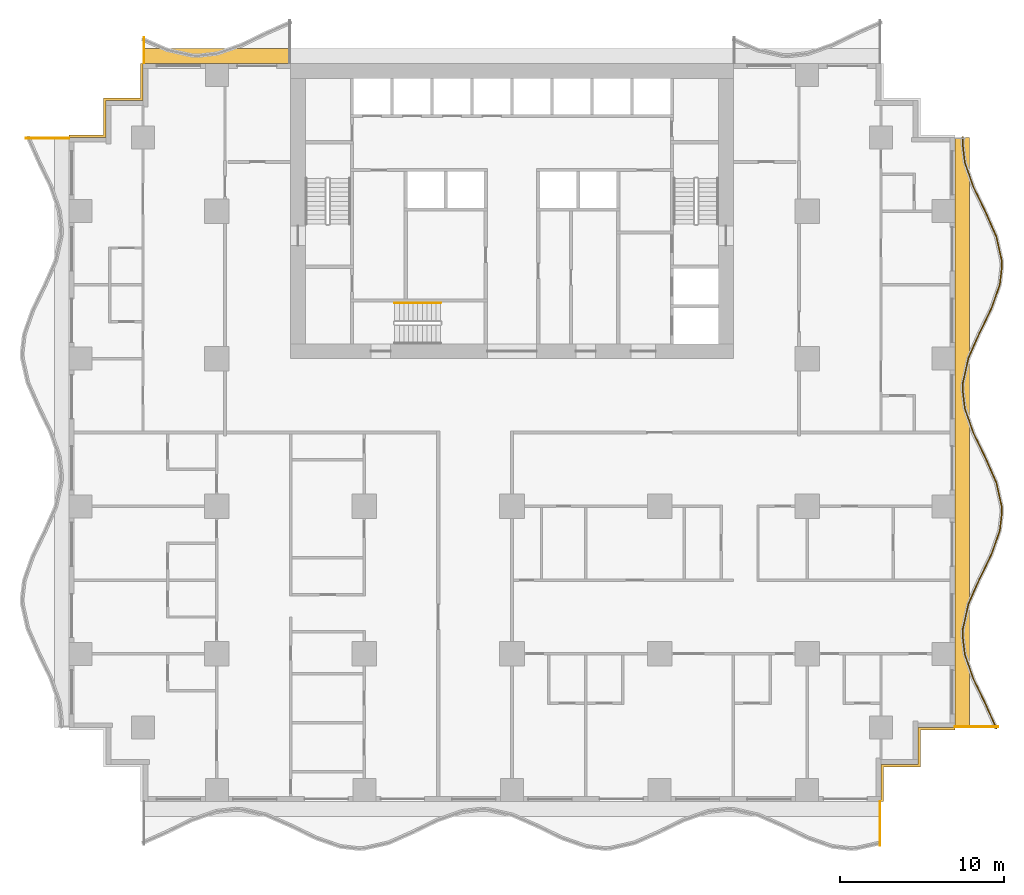
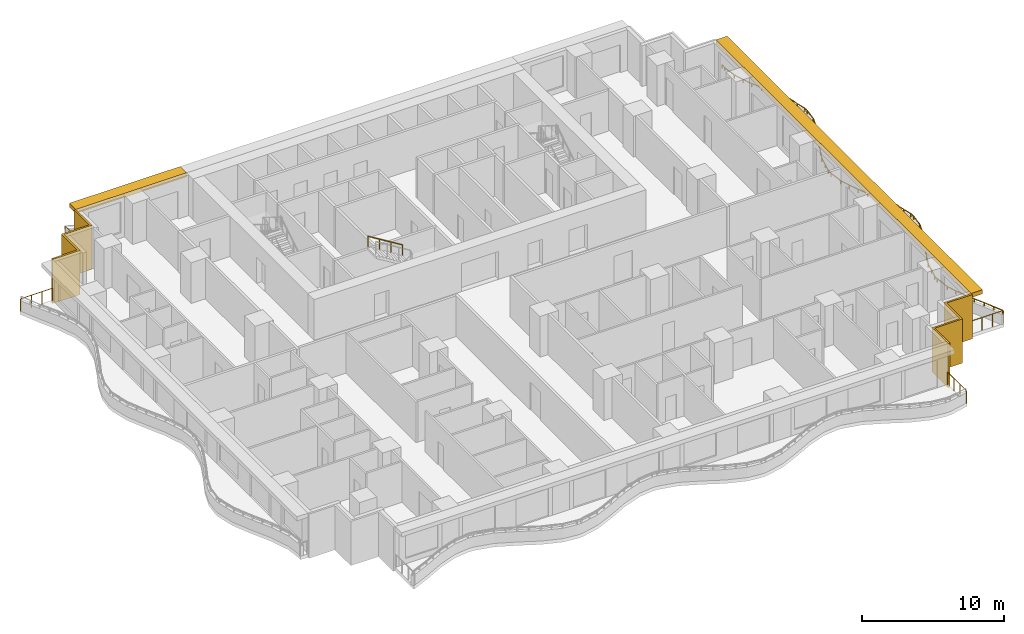
# One storey, part 11 of 14: 6 railings, 4 shading devices.
"""IFC4 building model written with IfcOpenShell, lengths in metres."""

from ifc_helpers import new_model, si_unit, direction, frame, origin, origin_2d, place, context, subcontext, project, spatial, polyline, rectangle, circle, outline, extrude, material, layer, layer_set, type_object, element, save


model = new_model("IFC4")

# Units and contexts
model_context = context("Model", 3, precision=1e-05, world=origin(), true_north=direction((0.0, 1.0)))
body_context = subcontext(model_context, "Body", "Model", "MODEL_VIEW")
ifc_project = project(units=[si_unit("LENGTHUNIT", "METRE"), si_unit("AREAUNIT", "SQUARE_METRE"), si_unit("VOLUMEUNIT", "CUBIC_METRE"), si_unit("PLANEANGLEUNIT", "RADIAN"), si_unit("MASSUNIT", "GRAM", prefix="KILO")], contexts=[model_context])

# Site, building, storey
site_placement = place(None, origin())
site = spatial("IfcSite", under=ifc_project, at=site_placement, CompositionType="ELEMENT")
building_placement = place(site_placement, origin())
building = spatial("IfcBuilding", under=site, at=building_placement, Name="Orbiselva Terraces", CompositionType="ELEMENT")
storey_placement = place(building_placement, frame((0.0, 0.0, 56.8)))
storey = spatial("IfcBuildingStorey", under=building, at=storey_placement, Name="L14", CompositionType="ELEMENT", Elevation=56.8)

# Railings
ifc_material_1 = material(Name="Stainless steel", Category="steel")
railing_type_1 = type_object("IfcRailingType", Name="CORE-HANDRAIL-900", PredefinedType="HANDRAIL", material=ifc_material_1)
railing_1_placement = place(storey_placement, frame((-4.35, 7.9, 2.072727)))
element("IfcRailing", 1, at=railing_1_placement, inside=storey, type_object=railing_type_1, Name="L14 S3 stair handrail 2", PredefinedType="HANDRAIL", context=body_context, shape_type="SweptSolid", body=[
    extrude(circle(Radius=0.024, at=origin_2d()), frame((0.0, 0.0, 0.876), z_axis=(-0.851088519012, 0.0, 0.52502222125), x_axis=(0.0, -1.0, 0.0)), (0.0, 0.0, 1.0), 3.289905),
    extrude(circle(Radius=0.021, at=origin_2d()), origin(), (0.0, 0.0, 1.0), 0.852),
    extrude(circle(Radius=0.021, at=origin_2d()), frame((-0.933333, 0.0, 0.575758)), (0.0, 0.0, 1.0), 0.852),
    extrude(circle(Radius=0.021, at=origin_2d()), frame((-1.866667, 0.0, 1.151515)), (0.0, 0.0, 1.0), 0.852),
    extrude(circle(Radius=0.021, at=origin_2d()), frame((-2.8, 0.0, 1.727273)), (0.0, 0.0, 1.0), 0.852),
])
ifc_material_2 = material(Name="Bonded two-ply safety glass balustrade, stainless steel posts", Category="steel")
railing_type_2 = type_object("IfcRailingType", Name="ENV-BALUSTRADE-1200", PredefinedType="BALUSTRADE", material=ifc_material_2)
railing_2_placement = place(storey_placement, frame((29.534136, -18.050394, 0.9)))
element("IfcRailing", 2, at=railing_2_placement, inside=storey, type_object=railing_type_2, Name="Balcony balustrade L14 E", PredefinedType="BALUSTRADE", context=body_context, shape_type="SweptSolid", body=[
    extrude(outline(polyline([(0.028868, 0.0), (0.014434, 0.025), (-0.014434, 0.025), (-0.028868, 0.0), (-0.014434, -0.025), (0.014434, -0.025), (0.028868, 0.0)])), frame((0.0, 0.0, 0.275), z_axis=(-0.403150940408, 0.915133498047, 0.0), x_axis=(-0.915133498047, -0.403150940408, 0.0)), (0.0, 0.0, 1.0), 1.636648),
    extrude(outline(polyline([(0.028868, 0.0), (0.014434, 0.025), (-0.014434, 0.025), (-0.028868, 0.0), (-0.014434, -0.025), (0.014434, -0.025), (0.028868, 0.0)])), frame((-0.659816, 1.497751, 0.275), z_axis=(-0.438812048596, 0.898578870221, 0.0), x_axis=(-0.898578870221, -0.438812048596, 0.0)), (0.0, 0.0, 1.0), 1.674225),
    extrude(outline(polyline([(0.028868, 0.0), (0.014434, 0.025), (-0.014434, 0.025), (-0.028868, 0.0), (-0.014434, -0.025), (0.014434, -0.025), (0.028868, 0.0)])), frame((-1.394486, 3.002174, 0.275), z_axis=(-0.330024597479, 0.943972332783, 0.0), x_axis=(-0.943972332783, -0.330024597479, 0.0)), (0.0, 0.0, 1.0), 1.610253),
    extrude(outline(polyline([(0.028868, 0.0), (0.014434, 0.025), (-0.014434, 0.025), (-0.028868, 0.0), (-0.014434, -0.025), (0.014434, -0.025), (0.028868, 0.0)])), frame((-1.925909, 4.522208, 0.275), z_axis=(-0.115482182324, 0.993309551734, 0.0), x_axis=(-0.993309551734, -0.115482182324, 0.0)), (0.0, 0.0, 1.0), 1.156135),
    extrude(outline(polyline([(0.028868, 0.0), (0.014434, 0.025), (-0.014434, 0.025), (-0.028868, 0.0), (-0.014434, -0.025), (0.014434, -0.025), (0.028868, 0.0)])), frame((-2.059422, 5.670608, 0.275), z_axis=(0.03936915532, 0.999224734286, 0.0), x_axis=(-0.999224734286, 0.03936915532, 0.0)), (0.0, 0.0, 1.0), 0.396376),
    extrude(outline(polyline([(0.028868, 0.0), (0.014434, 0.025), (-0.014434, 0.025), (-0.028868, 0.0), (-0.014434, -0.025), (0.014434, -0.025), (0.028868, 0.0)])), frame((-2.043817, 6.066677, 0.275), z_axis=(0.219015500924, 0.97572137947, 0.0), x_axis=(-0.97572137947, 0.219015500924, 0.0)), (0.0, 0.0, 1.0), 1.560867),
    extrude(outline(polyline([(0.028868, 0.0), (0.014434, 0.025), (-0.014434, 0.025), (-0.028868, 0.0), (-0.014434, -0.025), (0.014434, -0.025), (0.028868, 0.0)])), frame((-1.701963, 7.589648, 0.275), z_axis=(0.403150874148, 0.915133527237, 0.0), x_axis=(-0.915133527237, 0.403150874148, 0.0)), (0.0, 0.0, 1.0), 1.653736),
    extrude(outline(polyline([(0.028868, 0.0), (0.014434, 0.025), (-0.014434, 0.025), (-0.028868, 0.0), (-0.014434, -0.025), (0.014434, -0.025), (0.028868, 0.0)])), frame((-1.035258, 9.103037, 0.275), z_axis=(0.438811978768, 0.89857890432, 0.0), x_axis=(-0.89857890432, 0.438811978768, 0.0)), (0.0, 0.0, 1.0), 1.66438),
    extrude(outline(polyline([(0.028868, 0.0), (0.014434, 0.025), (-0.014434, 0.025), (-0.028868, 0.0), (-0.014434, -0.025), (0.014434, -0.025), (0.028868, 0.0)])), frame((-0.304908, 10.598614, 0.275), z_axis=(0.330024754707, 0.943972277814, 0.0), x_axis=(-0.943972277814, 0.330024754707, 0.0)), (0.0, 0.0, 1.0), 1.567807),
    extrude(outline(polyline([(0.028868, 0.0), (0.014434, 0.025), (-0.014434, 0.025), (-0.028868, 0.0), (-0.014434, -0.025), (0.014434, -0.025), (0.028868, 0.0)])), frame((0.212507, 12.07858, 0.275), z_axis=(0.115481264762, 0.993309658409, 0.0), x_axis=(-0.993309658409, 0.115481264762, 0.0)), (0.0, 0.0, 1.0), 1.10902),
    extrude(outline(polyline([(0.028868, 0.0), (0.014434, 0.025), (-0.014434, 0.025), (-0.028868, 0.0), (-0.014434, -0.025), (0.014434, -0.025), (0.028868, 0.0)])), frame((0.340578, 13.18018, 0.275), z_axis=(-0.039364150694, 0.999224931454, 0.0), x_axis=(-0.999224931454, -0.039364150694, 0.0)), (0.0, 0.0, 1.0), 0.354206),
    extrude(outline(polyline([(0.028868, 0.0), (0.014434, 0.025), (-0.014434, 0.025), (-0.028868, 0.0), (-0.014434, -0.025), (0.014434, -0.025), (0.028868, 0.0)])), frame((0.326635, 13.534111, 0.275), z_axis=(-0.219015740235, 0.975721325753, 0.0), x_axis=(-0.975721325753, -0.219015740235, 0.0)), (0.0, 0.0, 1.0), 1.513782),
    extrude(outline(polyline([(0.028868, 0.0), (0.014434, 0.025), (-0.014434, 0.025), (-0.028868, 0.0), (-0.014434, -0.025), (0.014434, -0.025), (0.028868, 0.0)])), frame((-0.004907, 15.01114, 0.275), z_axis=(-0.403151245402, 0.915133363686, 0.0), x_axis=(-0.915133363686, -0.403151245402, 0.0)), (0.0, 0.0, 1.0), 1.624475),
    extrude(outline(polyline([(0.028868, 0.0), (0.014434, 0.025), (-0.014434, 0.025), (-0.028868, 0.0), (-0.014434, -0.025), (0.014434, -0.025), (0.028868, 0.0)])), frame((-0.659816, 16.497751, 0.275), z_axis=(-0.438812048596, 0.898578870221, 0.0), x_axis=(-0.898578870221, -0.438812048596, 0.0)), (0.0, 0.0, 1.0), 1.674225),
    extrude(outline(polyline([(0.028868, 0.0), (0.014434, 0.025), (-0.014434, 0.025), (-0.028868, 0.0), (-0.014434, -0.025), (0.014434, -0.025), (0.028868, 0.0)])), frame((-1.394486, 18.002174, 0.275), z_axis=(-0.330024597479, 0.943972332783, 0.0), x_axis=(-0.943972332783, -0.330024597479, 0.0)), (0.0, 0.0, 1.0), 1.610253),
    extrude(outline(polyline([(0.028868, 0.0), (0.014434, 0.025), (-0.014434, 0.025), (-0.028868, 0.0), (-0.014434, -0.025), (0.014434, -0.025), (0.028868, 0.0)])), frame((-1.925909, 19.522208, 0.275), z_axis=(-0.115482182324, 0.993309551734, 0.0), x_axis=(-0.993309551734, -0.115482182324, 0.0)), (0.0, 0.0, 1.0), 1.156135),
    extrude(outline(polyline([(0.028868, 0.0), (0.014434, 0.025), (-0.014434, 0.025), (-0.028868, 0.0), (-0.014434, -0.025), (0.014434, -0.025), (0.028868, 0.0)])), frame((-2.059422, 20.670608, 0.275), z_axis=(0.03936915532, 0.999224734286, 0.0), x_axis=(-0.999224734286, 0.03936915532, 0.0)), (0.0, 0.0, 1.0), 0.396376),
    extrude(outline(polyline([(0.028868, 0.0), (0.014434, 0.025), (-0.014434, 0.025), (-0.028868, 0.0), (-0.014434, -0.025), (0.014434, -0.025), (0.028868, 0.0)])), frame((-2.043817, 21.066677, 0.275), z_axis=(0.219015500924, 0.97572137947, 0.0), x_axis=(-0.97572137947, 0.219015500924, 0.0)), (0.0, 0.0, 1.0), 1.560867),
    extrude(outline(polyline([(0.028868, 0.0), (0.014434, 0.025), (-0.014434, 0.025), (-0.028868, 0.0), (-0.014434, -0.025), (0.014434, -0.025), (0.028868, 0.0)])), frame((-1.701963, 22.589648, 0.275), z_axis=(0.403150874148, 0.915133527237, 0.0), x_axis=(-0.915133527237, 0.403150874148, 0.0)), (0.0, 0.0, 1.0), 1.653736),
    extrude(outline(polyline([(0.028868, 0.0), (0.014434, 0.025), (-0.014434, 0.025), (-0.028868, 0.0), (-0.014434, -0.025), (0.014434, -0.025), (0.028868, 0.0)])), frame((-1.035258, 24.103037, 0.275), z_axis=(0.438811978768, 0.89857890432, 0.0), x_axis=(-0.89857890432, 0.438811978768, 0.0)), (0.0, 0.0, 1.0), 1.66438),
    extrude(outline(polyline([(0.028868, 0.0), (0.014434, 0.025), (-0.014434, 0.025), (-0.028868, 0.0), (-0.014434, -0.025), (0.014434, -0.025), (0.028868, 0.0)])), frame((-0.304908, 25.598614, 0.275), z_axis=(0.330024754707, 0.943972277814, 0.0), x_axis=(-0.943972277814, 0.330024754707, 0.0)), (0.0, 0.0, 1.0), 1.567807),
    extrude(outline(polyline([(0.028868, 0.0), (0.014434, 0.025), (-0.014434, 0.025), (-0.028868, 0.0), (-0.014434, -0.025), (0.014434, -0.025), (0.028868, 0.0)])), frame((0.212507, 27.07858, 0.275), z_axis=(0.115481264762, 0.993309658409, 0.0), x_axis=(-0.993309658409, 0.115481264762, 0.0)), (0.0, 0.0, 1.0), 1.10902),
    extrude(outline(polyline([(0.028868, 0.0), (0.014434, 0.025), (-0.014434, 0.025), (-0.028868, 0.0), (-0.014434, -0.025), (0.014434, -0.025), (0.028868, 0.0)])), frame((0.340578, 28.18018, 0.275), z_axis=(-0.039364150694, 0.999224931454, 0.0), x_axis=(-0.999224931454, -0.039364150694, 0.0)), (0.0, 0.0, 1.0), 0.354206),
    extrude(outline(polyline([(0.028868, 0.0), (0.014434, 0.025), (-0.014434, 0.025), (-0.028868, 0.0), (-0.014434, -0.025), (0.014434, -0.025), (0.028868, 0.0)])), frame((0.326635, 28.534111, 0.275), z_axis=(-0.219015740235, 0.975721325753, 0.0), x_axis=(-0.975721325753, -0.219015740235, 0.0)), (0.0, 0.0, 1.0), 1.513782),
    extrude(outline(polyline([(0.028868, 0.0), (0.014434, 0.025), (-0.014434, 0.025), (-0.028868, 0.0), (-0.014434, -0.025), (0.014434, -0.025), (0.028868, 0.0)])), frame((-0.004907, 30.01114, 0.275), z_axis=(-0.403151245402, 0.915133363686, 0.0), x_axis=(-0.915133363686, -0.403151245402, 0.0)), (0.0, 0.0, 1.0), 1.624475),
    extrude(outline(polyline([(0.028868, 0.0), (0.014434, 0.025), (-0.014434, 0.025), (-0.028868, 0.0), (-0.014434, -0.025), (0.014434, -0.025), (0.028868, 0.0)])), frame((-0.659816, 31.497751, 0.275), z_axis=(-0.438812048596, 0.898578870221, 0.0), x_axis=(-0.898578870221, -0.438812048596, 0.0)), (0.0, 0.0, 1.0), 1.674225),
    extrude(outline(polyline([(0.028868, 0.0), (0.014434, 0.025), (-0.014434, 0.025), (-0.028868, 0.0), (-0.014434, -0.025), (0.014434, -0.025), (0.028868, 0.0)])), frame((-1.394486, 33.002174, 0.275), z_axis=(-0.330024597479, 0.943972332783, 0.0), x_axis=(-0.943972332783, -0.330024597479, 0.0)), (0.0, 0.0, 1.0), 1.610253),
    extrude(outline(polyline([(0.028868, 0.0), (0.014434, 0.025), (-0.014434, 0.025), (-0.028868, 0.0), (-0.014434, -0.025), (0.014434, -0.025), (0.028868, 0.0)])), frame((-1.925909, 34.522208, 0.275), z_axis=(-0.115482182324, 0.993309551734, 0.0), x_axis=(-0.993309551734, -0.115482182324, 0.0)), (0.0, 0.0, 1.0), 1.156135),
    extrude(outline(polyline([(0.028868, 0.0), (0.014434, 0.025), (-0.014434, 0.025), (-0.028868, 0.0), (-0.014434, -0.025), (0.014434, -0.025), (0.028868, 0.0)])), frame((-2.059422, 35.670608, 0.275), z_axis=(0.039368272023, 0.999224769087, 0.0), x_axis=(-0.999224769087, 0.039368272023, 0.0)), (0.0, 0.0, 1.0), 0.385005),
    extrude(rectangle(XDim=0.05, YDim=0.05, at=origin_2d()), origin(), (0.0, 0.0, 1.0), 0.25),
    extrude(rectangle(XDim=0.05, YDim=0.05, at=origin_2d()), frame((-0.329908, 0.748876, 0.0)), (0.0, 0.0, 1.0), 0.25),
    extrude(rectangle(XDim=0.05, YDim=0.05, at=origin_2d()), frame((-0.659816, 1.497751, 0.0)), (0.0, 0.0, 1.0), 0.25),
    extrude(rectangle(XDim=0.05, YDim=0.05, at=origin_2d()), frame((-1.027151, 2.249963, 0.0)), (0.0, 0.0, 1.0), 0.25),
    extrude(rectangle(XDim=0.05, YDim=0.05, at=origin_2d()), frame((-1.394486, 3.002174, 0.0)), (0.0, 0.0, 1.0), 0.25),
    extrude(rectangle(XDim=0.05, YDim=0.05, at=origin_2d()), frame((-1.660198, 3.762191, 0.0)), (0.0, 0.0, 1.0), 0.25),
    extrude(rectangle(XDim=0.05, YDim=0.05, at=origin_2d()), frame((-1.925909, 4.522208, 0.0)), (0.0, 0.0, 1.0), 0.25),
    extrude(rectangle(XDim=0.05, YDim=0.05, at=origin_2d()), frame((-2.059422, 5.670608, 0.0)), (0.0, 0.0, 1.0), 0.25),
    extrude(rectangle(XDim=0.05, YDim=0.05, at=origin_2d()), frame((-2.043817, 6.066677, 0.0)), (0.0, 0.0, 1.0), 0.25),
    extrude(rectangle(XDim=0.05, YDim=0.05, at=origin_2d()), frame((-1.87289, 6.828162, 0.0)), (0.0, 0.0, 1.0), 0.25),
    extrude(rectangle(XDim=0.05, YDim=0.05, at=origin_2d()), frame((-1.701963, 7.589648, 0.0)), (0.0, 0.0, 1.0), 0.25),
    extrude(rectangle(XDim=0.05, YDim=0.05, at=origin_2d()), frame((-1.36861, 8.346342, 0.0)), (0.0, 0.0, 1.0), 0.25),
    extrude(rectangle(XDim=0.05, YDim=0.05, at=origin_2d()), frame((-1.035258, 9.103037, 0.0)), (0.0, 0.0, 1.0), 0.25),
    extrude(rectangle(XDim=0.05, YDim=0.05, at=origin_2d()), frame((-0.670083, 9.850826, 0.0)), (0.0, 0.0, 1.0), 0.25),
    extrude(rectangle(XDim=0.05, YDim=0.05, at=origin_2d()), frame((-0.304908, 10.598614, 0.0)), (0.0, 0.0, 1.0), 0.25),
    extrude(rectangle(XDim=0.05, YDim=0.05, at=origin_2d()), frame((-0.046201, 11.338597, 0.0)), (0.0, 0.0, 1.0), 0.25),
    extrude(rectangle(XDim=0.05, YDim=0.05, at=origin_2d()), frame((0.212507, 12.07858, 0.0)), (0.0, 0.0, 1.0), 0.25),
    extrude(rectangle(XDim=0.05, YDim=0.05, at=origin_2d()), frame((0.340578, 13.18018, 0.0)), (0.0, 0.0, 1.0), 0.25),
    extrude(rectangle(XDim=0.05, YDim=0.05, at=origin_2d()), frame((0.326635, 13.534111, 0.0)), (0.0, 0.0, 1.0), 0.25),
    extrude(rectangle(XDim=0.05, YDim=0.05, at=origin_2d()), frame((0.160864, 14.272626, 0.0)), (0.0, 0.0, 1.0), 0.25),
    extrude(rectangle(XDim=0.05, YDim=0.05, at=origin_2d()), frame((-0.004907, 15.01114, 0.0)), (0.0, 0.0, 1.0), 0.25),
    extrude(rectangle(XDim=0.05, YDim=0.05, at=origin_2d()), frame((-0.332361, 15.754446, 0.0)), (0.0, 0.0, 1.0), 0.25),
    extrude(rectangle(XDim=0.05, YDim=0.05, at=origin_2d()), frame((-0.659816, 16.497751, 0.0)), (0.0, 0.0, 1.0), 0.25),
    extrude(rectangle(XDim=0.05, YDim=0.05, at=origin_2d()), frame((-1.027151, 17.249963, 0.0)), (0.0, 0.0, 1.0), 0.25),
    extrude(rectangle(XDim=0.05, YDim=0.05, at=origin_2d()), frame((-1.394486, 18.002174, 0.0)), (0.0, 0.0, 1.0), 0.25),
    extrude(rectangle(XDim=0.05, YDim=0.05, at=origin_2d()), frame((-1.660198, 18.762191, 0.0)), (0.0, 0.0, 1.0), 0.25),
    extrude(rectangle(XDim=0.05, YDim=0.05, at=origin_2d()), frame((-1.925909, 19.522208, 0.0)), (0.0, 0.0, 1.0), 0.25),
    extrude(rectangle(XDim=0.05, YDim=0.05, at=origin_2d()), frame((-2.059422, 20.670608, 0.0)), (0.0, 0.0, 1.0), 0.25),
    extrude(rectangle(XDim=0.05, YDim=0.05, at=origin_2d()), frame((-2.043817, 21.066677, 0.0)), (0.0, 0.0, 1.0), 0.25),
    extrude(rectangle(XDim=0.05, YDim=0.05, at=origin_2d()), frame((-1.87289, 21.828162, 0.0)), (0.0, 0.0, 1.0), 0.25),
    extrude(rectangle(XDim=0.05, YDim=0.05, at=origin_2d()), frame((-1.701963, 22.589648, 0.0)), (0.0, 0.0, 1.0), 0.25),
    extrude(rectangle(XDim=0.05, YDim=0.05, at=origin_2d()), frame((-1.36861, 23.346342, 0.0)), (0.0, 0.0, 1.0), 0.25),
    extrude(rectangle(XDim=0.05, YDim=0.05, at=origin_2d()), frame((-1.035258, 24.103037, 0.0)), (0.0, 0.0, 1.0), 0.25),
    extrude(rectangle(XDim=0.05, YDim=0.05, at=origin_2d()), frame((-0.670083, 24.850826, 0.0)), (0.0, 0.0, 1.0), 0.25),
    extrude(rectangle(XDim=0.05, YDim=0.05, at=origin_2d()), frame((-0.304908, 25.598614, 0.0)), (0.0, 0.0, 1.0), 0.25),
    extrude(rectangle(XDim=0.05, YDim=0.05, at=origin_2d()), frame((-0.046201, 26.338597, 0.0)), (0.0, 0.0, 1.0), 0.25),
    extrude(rectangle(XDim=0.05, YDim=0.05, at=origin_2d()), frame((0.212507, 27.07858, 0.0)), (0.0, 0.0, 1.0), 0.25),
    extrude(rectangle(XDim=0.05, YDim=0.05, at=origin_2d()), frame((0.340578, 28.18018, 0.0)), (0.0, 0.0, 1.0), 0.25),
    extrude(rectangle(XDim=0.05, YDim=0.05, at=origin_2d()), frame((0.326635, 28.534111, 0.0)), (0.0, 0.0, 1.0), 0.25),
    extrude(rectangle(XDim=0.05, YDim=0.05, at=origin_2d()), frame((0.160864, 29.272626, 0.0)), (0.0, 0.0, 1.0), 0.25),
    extrude(rectangle(XDim=0.05, YDim=0.05, at=origin_2d()), frame((-0.004907, 30.01114, 0.0)), (0.0, 0.0, 1.0), 0.25),
    extrude(rectangle(XDim=0.05, YDim=0.05, at=origin_2d()), frame((-0.332361, 30.754446, 0.0)), (0.0, 0.0, 1.0), 0.25),
    extrude(rectangle(XDim=0.05, YDim=0.05, at=origin_2d()), frame((-0.659816, 31.497751, 0.0)), (0.0, 0.0, 1.0), 0.25),
    extrude(rectangle(XDim=0.05, YDim=0.05, at=origin_2d()), frame((-1.027151, 32.249962, 0.0)), (0.0, 0.0, 1.0), 0.25),
    extrude(rectangle(XDim=0.05, YDim=0.05, at=origin_2d()), frame((-1.394486, 33.002174, 0.0)), (0.0, 0.0, 1.0), 0.25),
    extrude(rectangle(XDim=0.05, YDim=0.05, at=origin_2d()), frame((-1.660198, 33.762191, 0.0)), (0.0, 0.0, 1.0), 0.25),
    extrude(rectangle(XDim=0.05, YDim=0.05, at=origin_2d()), frame((-1.925909, 34.522208, 0.0)), (0.0, 0.0, 1.0), 0.25),
    extrude(rectangle(XDim=0.05, YDim=0.05, at=origin_2d()), frame((-2.059422, 35.670608, 0.0)), (0.0, 0.0, 1.0), 0.25),
    extrude(rectangle(XDim=0.05, YDim=0.05, at=origin_2d()), frame((-2.044265, 36.055315, 0.0)), (0.0, 0.0, 1.0), 0.25),
])
ifc_material_3 = material(Name="Stainless steel rail and posts", Category="steel")
railing_type_3 = type_object("IfcRailingType", Name="ENV-GUARD-1105", PredefinedType="BALUSTRADE", material=ifc_material_3)
railing_3_placement = place(storey_placement, frame((22.44, -25.169584, 0.0)))
element("IfcRailing", 3, at=railing_3_placement, inside=storey, type_object=railing_type_3, Name="Balcony end guard L14 S", PredefinedType="BALUSTRADE", context=body_context, shape_type="SweptSolid", body=[
    extrude(outline(polyline([(0.028868, 0.0), (0.014434, 0.025), (-0.014434, 0.025), (-0.028868, 0.0), (-0.014434, -0.025), (0.014434, -0.025), (0.028868, 0.0)])), frame((0.0, 0.0, 1.08), z_axis=(0.0, 1.0, 0.0), x_axis=(-1.0, 0.0, 0.0)), (0.0, 0.0, 1.0), 2.644584),
    extrude(rectangle(XDim=0.05, YDim=0.05, at=origin_2d()), origin(), (0.0, 0.0, 1.0), 1.055),
    extrude(rectangle(XDim=0.05, YDim=0.05, at=origin_2d()), frame((0.0, 0.881528, 0.0)), (0.0, 0.0, 1.0), 1.055),
    extrude(rectangle(XDim=0.05, YDim=0.05, at=origin_2d()), frame((0.0, 1.763056, 0.0)), (0.0, 0.0, 1.0), 1.055),
    extrude(rectangle(XDim=0.05, YDim=0.05, at=origin_2d()), frame((0.0, 2.644584, 0.0)), (0.0, 0.0, 1.0), 1.055),
])
railing_4_placement = place(storey_placement, frame((29.626937, -17.94, 0.0)))
element("IfcRailing", 4, at=railing_4_placement, inside=storey, type_object=railing_type_3, Name="Balcony end guard L14 E", PredefinedType="BALUSTRADE", context=body_context, shape_type="SweptSolid", body=[
    extrude(outline(polyline([(0.028868, 0.0), (0.014434, 0.025), (-0.014434, 0.025), (-0.028868, 0.0), (-0.014434, -0.025), (0.014434, -0.025), (0.028868, 0.0)])), frame((0.0, 0.0, 1.08), z_axis=(-1.0, 0.0, 0.0), x_axis=(0.0, -1.0, 0.0)), (0.0, 0.0, 1.0), 2.601937),
    extrude(rectangle(XDim=0.05, YDim=0.05, at=origin_2d()), origin(), (0.0, 0.0, 1.0), 1.055),
    extrude(rectangle(XDim=0.05, YDim=0.05, at=origin_2d()), frame((-0.867312, 0.0, 0.0)), (0.0, 0.0, 1.0), 1.055),
    extrude(rectangle(XDim=0.05, YDim=0.05, at=origin_2d()), frame((-1.734625, 0.0, 0.0)), (0.0, 0.0, 1.0), 1.055),
    extrude(rectangle(XDim=0.05, YDim=0.05, at=origin_2d()), frame((-2.601937, 0.0, 0.0)), (0.0, 0.0, 1.0), 1.055),
])
railing_5_placement = place(storey_placement, frame((-22.44, 24.082553, 0.0)))
element("IfcRailing", 5, at=railing_5_placement, inside=storey, type_object=railing_type_3, Name="Balcony end guard L14 NW", PredefinedType="BALUSTRADE", context=body_context, shape_type="SweptSolid", body=[
    extrude(outline(polyline([(0.028868, 0.0), (0.014434, 0.025), (-0.014434, 0.025), (-0.028868, 0.0), (-0.014434, -0.025), (0.014434, -0.025), (0.028868, 0.0)])), frame((0.0, 0.0, 1.08), z_axis=(0.0, -1.0, 0.0), x_axis=(1.0, 0.0, 0.0)), (0.0, 0.0, 1.0), 1.557553),
    extrude(rectangle(XDim=0.05, YDim=0.05, at=origin_2d()), origin(), (0.0, 0.0, 1.0), 1.055),
    extrude(rectangle(XDim=0.05, YDim=0.05, at=origin_2d()), frame((0.0, -0.778777, 0.0)), (0.0, 0.0, 1.0), 1.055),
    extrude(rectangle(XDim=0.05, YDim=0.05, at=origin_2d()), frame((0.0, -1.557553, 0.0)), (0.0, 0.0, 1.0), 1.055),
])
railing_6_placement = place(storey_placement, frame((-29.626937, 17.94, 0.0)))
element("IfcRailing", 6, at=railing_6_placement, inside=storey, type_object=railing_type_3, Name="Balcony end guard L14 W", PredefinedType="BALUSTRADE", context=body_context, shape_type="SweptSolid", body=[
    extrude(outline(polyline([(0.028868, 0.0), (0.014434, 0.025), (-0.014434, 0.025), (-0.028868, 0.0), (-0.014434, -0.025), (0.014434, -0.025), (0.028868, 0.0)])), frame((0.0, 0.0, 1.08), z_axis=(1.0, 0.0, 0.0), x_axis=(0.0, 1.0, 0.0)), (0.0, 0.0, 1.0), 2.601937),
    extrude(rectangle(XDim=0.05, YDim=0.05, at=origin_2d()), origin(), (0.0, 0.0, 1.0), 1.055),
    extrude(rectangle(XDim=0.05, YDim=0.05, at=origin_2d()), frame((0.867312, 0.0, 0.0)), (0.0, 0.0, 1.0), 1.055),
    extrude(rectangle(XDim=0.05, YDim=0.05, at=origin_2d()), frame((1.734625, 0.0, 0.0)), (0.0, 0.0, 1.0), 1.055),
    extrude(rectangle(XDim=0.05, YDim=0.05, at=origin_2d()), frame((2.601937, 0.0, 0.0)), (0.0, 0.0, 1.0), 1.055),
])

# Shading devices
ifc_material_4 = material(Name="Terracotta louvre screen", Category="masonry")
ifc_layer_1 = layer(ifc_material_4, 0.15)
ifc_layer_set_1 = layer_set([ifc_layer_1], Name="Terracotta louvre screen")
shading_device_type_1 = type_object("IfcShadingDeviceType", Name="ENV-SCREEN-150", PredefinedType="USERDEFINED", material=ifc_layer_set_1)
shading_device_1_placement = place(storey_placement, frame((0.0, 0.0, -0.3)))
element("IfcShadingDevice", 7, at=shading_device_1_placement, inside=storey, type_object=shading_device_type_1, Name="Louvre screen L14 NW", ObjectType="SCREEN", PredefinedType="USERDEFINED", context=body_context, shape_type="SweptSolid", body=[
    extrude(outline(polyline([(-22.65, 22.5), (-22.65, 20.4), (-24.9, 20.4), (-24.9, 18.15), (-27.0, 18.15), (-27.0, 18.0), (-24.75, 18.0), (-24.75, 20.25), (-22.5, 20.25), (-22.5, 22.5), (-22.65, 22.5)])), origin(), (0.0, 0.0, 1.0), 3.8),
])
shading_device_2_placement = place(storey_placement, frame((0.0, 0.0, -0.3)))
element("IfcShadingDevice", 8, at=shading_device_2_placement, inside=storey, type_object=shading_device_type_1, Name="Louvre screen L14 SE", ObjectType="SCREEN", PredefinedType="USERDEFINED", context=body_context, shape_type="SweptSolid", body=[
    extrude(outline(polyline([(22.65, -22.5), (22.65, -20.4), (24.9, -20.4), (24.9, -18.15), (27.0, -18.15), (27.0, -18.0), (24.75, -18.0), (24.75, -20.25), (22.5, -20.25), (22.5, -22.5), (22.65, -22.5)])), origin(), (0.0, 0.0, 1.0), 3.8),
])
ifc_material_5 = material(Name="Terracotta baguette sunshade", Category="masonry")
ifc_layer_2 = layer(ifc_material_5, 0.35)
ifc_layer_set_2 = layer_set([ifc_layer_2], Name="Terracotta baguette sunshade")
shading_device_type_2 = type_object("IfcShadingDeviceType", Name="ENV-SUNSHADE-900x350", PredefinedType="USERDEFINED", material=ifc_layer_set_2)
shading_device_3_placement = place(storey_placement, frame((0.0, 0.0, 3.15)))
element("IfcShadingDevice", 9, at=shading_device_3_placement, inside=storey, type_object=shading_device_type_2, Name="Sunshade band L14 E", ObjectType="SUNSHADE", PredefinedType="USERDEFINED", context=body_context, shape_type="SweptSolid", body=[
    extrude(outline(polyline([(27.9, -18.0), (27.9, 18.0), (27.0, 18.0), (27.0, -18.0), (27.9, -18.0)])), origin(), (0.0, 0.0, 1.0), 0.35),
])
shading_device_4_placement = place(storey_placement, frame((0.0, 0.0, 3.15)))
element("IfcShadingDevice", 10, at=shading_device_4_placement, inside=storey, type_object=shading_device_type_2, Name="Sunshade band L14 NW", ObjectType="SUNSHADE", PredefinedType="USERDEFINED", context=body_context, shape_type="SweptSolid", body=[
    extrude(outline(polyline([(-13.5, 23.4), (-22.5, 23.4), (-22.5, 22.5), (-13.5, 22.5), (-13.5, 23.4)])), origin(), (0.0, 0.0, 1.0), 0.35),
])

save(model, "model.ifc")
